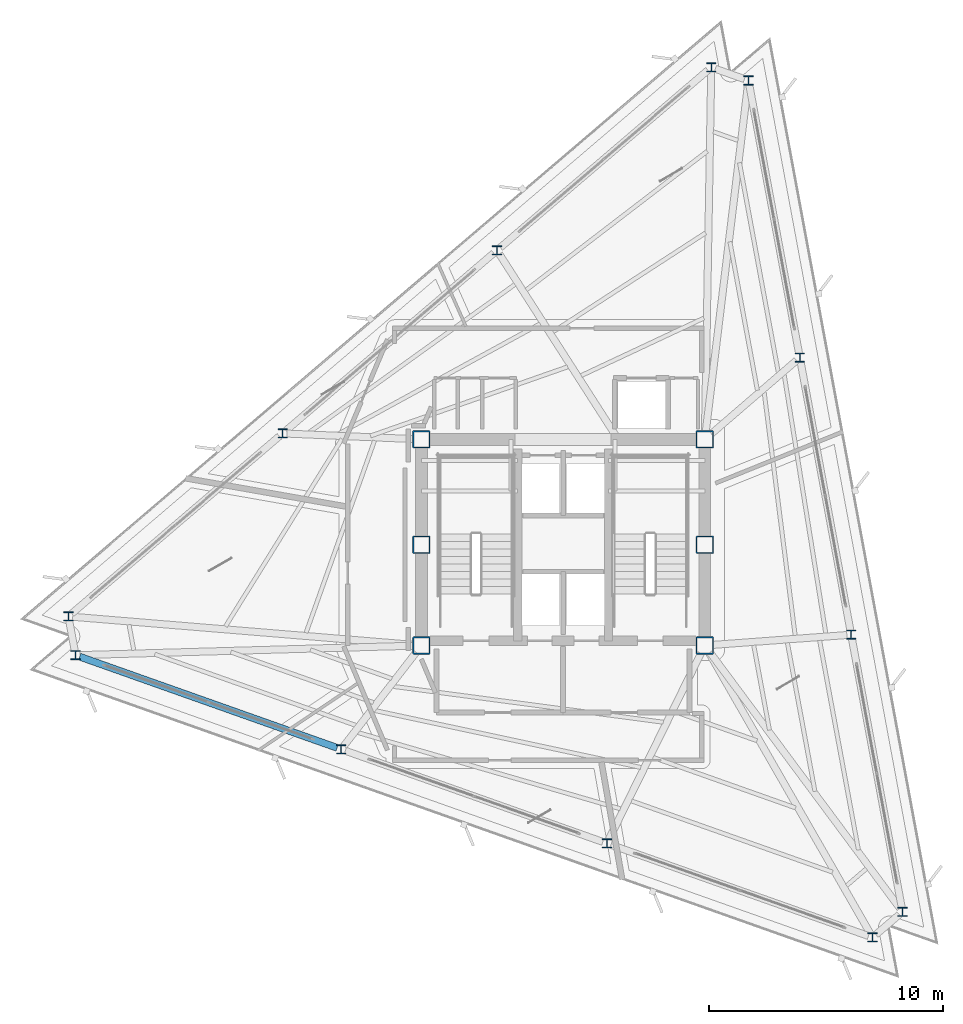
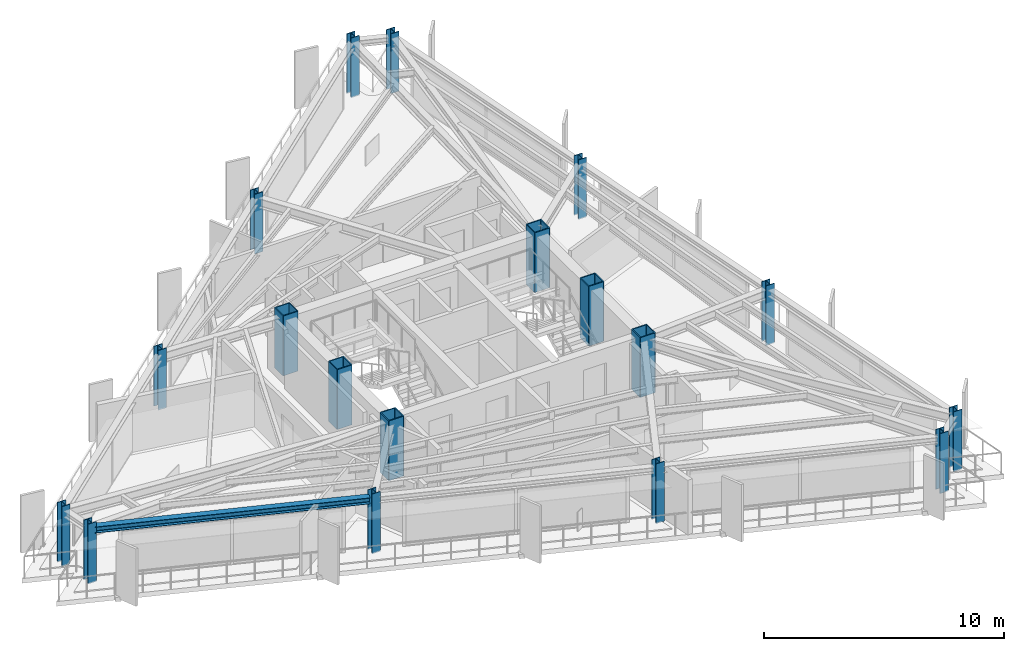
# One storey, part 1 of 14: 18 columns, 1 beam.
"""IFC4 building model written with IfcOpenShell, lengths in metres."""

from ifc_helpers import new_model, si_unit, direction, frame, origin, origin_2d, place, context, subcontext, project, spatial, hollow_rectangle, i_section, extrude, material, material_profile, profile_set, type_object, element, save


model = new_model("IFC4")

# Units and contexts
model_context = context("Model", 3, precision=1e-05, world=origin(), true_north=direction((0.0, 1.0)))
body_context = subcontext(model_context, "Body", "Model", "MODEL_VIEW")
ifc_project = project(units=[si_unit("LENGTHUNIT", "METRE"), si_unit("AREAUNIT", "SQUARE_METRE"), si_unit("VOLUMEUNIT", "CUBIC_METRE"), si_unit("PLANEANGLEUNIT", "RADIAN"), si_unit("MASSUNIT", "GRAM", prefix="KILO")], contexts=[model_context])

# Site, building, storey
site_placement = place(None, origin())
site = spatial("IfcSite", under=ifc_project, at=site_placement, CompositionType="ELEMENT")
building_placement = place(site_placement, origin())
building = spatial("IfcBuilding", under=site, at=building_placement, Name="Rocaltana Carrier Exchange", CompositionType="ELEMENT")
storey_placement = place(building_placement, frame((0.0, 0.0, 184.47998046875)))
storey = spatial("IfcBuildingStorey", under=building, at=storey_placement, Name="L58", CompositionType="ELEMENT", Elevation=184.47998046875)

# Columns
ifc_material_1 = material(Name="Steel S460", Category="steel")
ifc_material_profile_1 = material_profile(ifc_material_1, hollow_rectangle(XDim=0.75, YDim=0.75, WallThickness=0.050048828125, InnerFilletRadius=0.02001953125, OuterFilletRadius=0.0400390625, at=origin_2d()), Name="BOX750X750X50")
ifc_profile_set_1 = profile_set([ifc_material_profile_1], Name="Steel S460")
column_type_1 = type_object("IfcColumnType", Name="Core Mega-Column BOX750", PredefinedType="COLUMN", material=ifc_profile_set_1)
for number, where, z_axis, x_axis, name in (
    (1, (-6.050048828125, 4.5, 0.0), (0.0, 0.0, 1.0), (1.0, 0.0, 0.0), "L58 Core Mega-Column MC1"),
    (2, (6.050048828125, 4.5, 0.0), (0.0, 0.0, 1.0), (1.0, 0.0, 0.0), "L58 Core Mega-Column MC2"),
    (3, (-6.050048828125, 0.0, 0.0), (0.0, 0.0, 1.0), (1.0, 0.0, 0.0), "L58 Core Mega-Column MC3"),
    (4, (6.050048828125, 0.0, 0.0), (0.0, 0.0, 1.0), (1.0, 0.0, 0.0), "L58 Core Mega-Column MC4"),
    (5, (-6.050048828125, -4.300048828125, 0.0), (0.0, 0.0, 1.0), (1.0, 0.0, 0.0), "L58 Core Mega-Column MC5"),
    (6, (6.050048828125, -4.300048828125, 0.0), (0.0, 0.0, 1.0), (1.0, 0.0, 0.0), "L58 Core Mega-Column MC6"),
):
    element("IfcColumn", number, at=place(storey_placement, frame(where, z_axis=z_axis, x_axis=x_axis)), inside=storey, type_object=column_type_1, Name=name, PredefinedType="COLUMN", context=body_context, shape_type="SweptSolid", body=[
        extrude(hollow_rectangle(XDim=0.75, YDim=0.75, WallThickness=0.050048828125, InnerFilletRadius=0.02001953125, OuterFilletRadius=0.0400390625, at=origin_2d()), origin(), (0.0, 0.0, 1.0), 3.0400390625),
    ])
ifc_material_2 = material(Name="Steel S355", Category="steel")
ifc_material_profile_2 = material_profile(ifc_material_2, i_section(OverallWidth=0.39794921875, OverallDepth=0.386962890625, WebThickness=0.02099609375, FlangeThickness=0.033203125, FilletRadius=0.01806640625, at=origin_2d()), Name="W14X176")
ifc_profile_set_2 = profile_set([ifc_material_profile_2], Name="Steel S355")
column_type_2 = type_object("IfcColumnType", Name="Perimeter Column W14X176", PredefinedType="COLUMN", material=ifc_profile_set_2)
for number, where, z_axis, x_axis, name in (
    (7, (14.492431640625, -15.67138671875, 0.0), (0.0, 0.0, 1.0), (1.0, 0.0, 0.0), "L58 Perimeter Column TC01"),
    (8, (12.299560546875, -3.839599609375, 0.0), (0.0, 0.0, 1.0), (1.0, 0.0, 0.0), "L58 Perimeter Column TC02"),
    (9, (10.106689453125, 7.9921875, 0.0), (0.0, 0.0, 1.0), (1.0, 0.0, 0.0), "L58 Perimeter Column TC03"),
    (10, (7.913818359375, 19.82421875, 0.0), (0.0, 0.0, 1.0), (1.0, 0.0, 0.0), "L58 Perimeter Column TC04"),
    (11, (6.325439453125, 20.38671875, 0.0), (0.0, 0.0, 1.0), (1.0, 0.0, 0.0), "L58 Perimeter Column TC05"),
    (12, (-2.82470703125, 12.571533203125, 0.0), (0.0, 0.0, 1.0), (1.0, 0.0, 0.0), "L58 Perimeter Column TC06"),
    (13, (-11.974853515625, 4.756591796875, 0.0), (0.0, 0.0, 1.0), (1.0, 0.0, 0.0), "L58 Perimeter Column TC07"),
    (14, (-21.125, -3.05859375, 0.0), (0.0, 0.0, 1.0), (1.0, 0.0, 0.0), "L58 Perimeter Column TC08"),
    (15, (-20.818115234375, -4.715087890625, 0.0), (0.0, 0.0, 1.0), (1.0, 0.0, 0.0), "L58 Perimeter Column TC09"),
    (16, (-9.474853515625, -8.73193359375, 0.0), (0.0, 0.0, 1.0), (1.0, 0.0, 0.0), "L58 Perimeter Column TC10"),
    (17, (1.8681640625, -12.748779296875, 0.0), (0.0, 0.0, 1.0), (1.0, 0.0, 0.0), "L58 Perimeter Column TC11"),
    (18, (13.211181640625, -16.765625, 0.0), (0.0, 0.0, 1.0), (1.0, 0.0, 0.0), "L58 Perimeter Column TC12"),
):
    element("IfcColumn", number, at=place(storey_placement, frame(where, z_axis=z_axis, x_axis=x_axis)), inside=storey, type_object=column_type_2, Name=name, PredefinedType="COLUMN", context=body_context, shape_type="SweptSolid", body=[
        extrude(i_section(OverallWidth=0.39794921875, OverallDepth=0.386962890625, WebThickness=0.02099609375, FlangeThickness=0.033203125, FilletRadius=0.01806640625, at=origin_2d()), origin(), (0.0, 0.0, 1.0), 3.0400390625),
    ])

# Beam
ifc_material_3 = material(Name="Steel S355", Category="steel")
ifc_material_profile_3 = material_profile(ifc_material_3, i_section(OverallWidth=0.300048828125, OverallDepth=0.320068359375, WebThickness=0.011474609375, FlangeThickness=0.0205078125, FilletRadius=0.027099609375, at=origin_2d()), Name="HEB320")
ifc_profile_set_3 = profile_set([ifc_material_profile_3], Name="Steel S355")
beam_type = type_object("IfcBeamType", Name="Spandrel Edge Beam HEB320", PredefinedType="SPANDREL", material=ifc_profile_set_3)
beam_placement = place(storey_placement, frame((-20.643310546875, -4.777099609375, 2.637939453125), z_axis=(0.942638890489, -0.333814203019, 0.0), x_axis=(0.333814203019, 0.942638890489, 0.0)))
element("IfcBeam", 19, at=beam_placement, inside=storey, type_object=beam_type, Name="SP-L58-09", PredefinedType="SPANDREL", context=body_context, shape_type="SweptSolid", body=[
    extrude(i_section(OverallWidth=0.300048828125, OverallDepth=0.320068359375, WebThickness=0.011474609375, FlangeThickness=0.0205078125, FilletRadius=0.027099609375, at=origin_2d()), origin(), (0.0, 0.0, 1.0), 11.662353515625),
])

save(model, "model.ifc")
